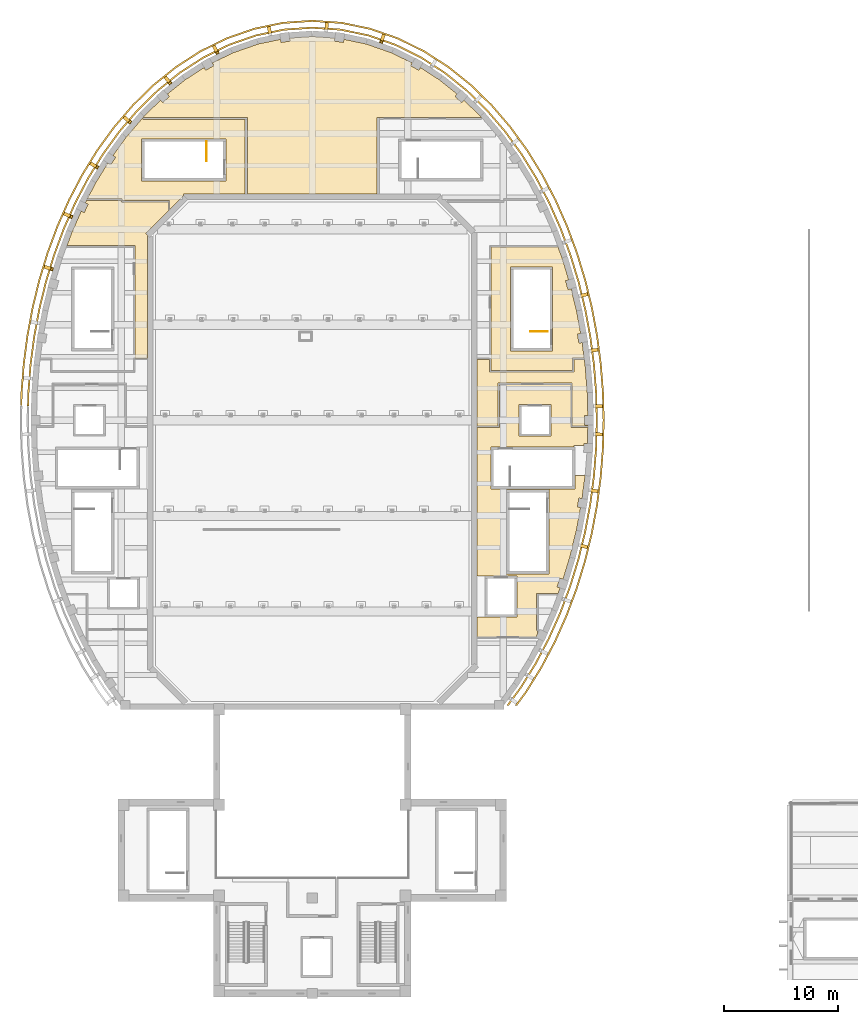
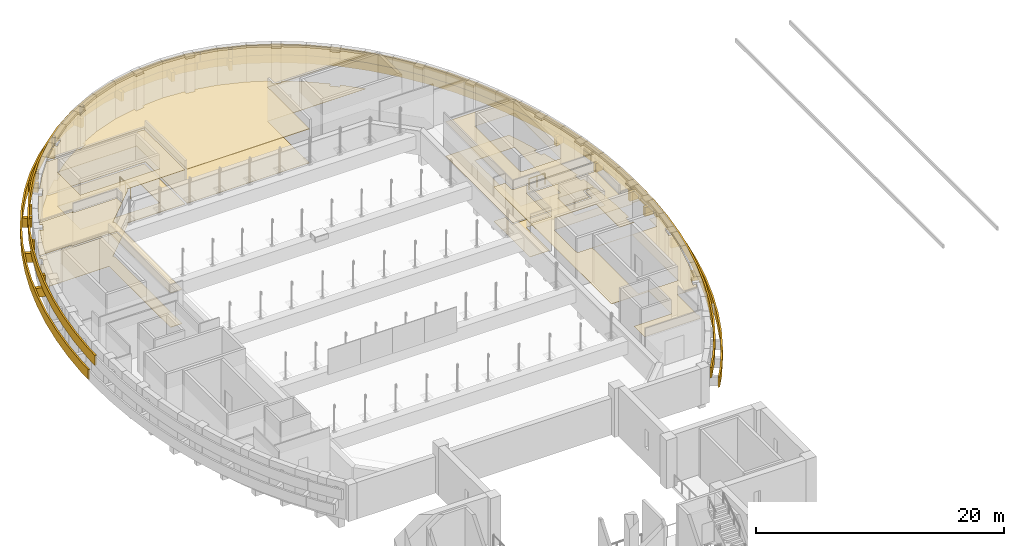
# One storey, part 46 of 47: 37 coverings, 2 railings.
"""IFC4 building model written with IfcOpenShell, lengths in metres."""

from ifc_helpers import new_model, si_unit, direction, frame, origin, origin_2d, place, context, subcontext, project, spatial, polyline, rectangle, circle, outline, extrude, material, layer, layer_set, type_object, element, save


model = new_model("IFC4")

# Units and contexts
model_context = context("Model", 3, precision=1e-05, world=origin(), true_north=direction((0.0, 1.0)))
body_context = subcontext(model_context, "Body", "Model", "MODEL_VIEW")
ifc_project = project(units=[si_unit("LENGTHUNIT", "METRE"), si_unit("AREAUNIT", "SQUARE_METRE"), si_unit("VOLUMEUNIT", "CUBIC_METRE"), si_unit("PLANEANGLEUNIT", "RADIAN"), si_unit("MASSUNIT", "GRAM", prefix="KILO")], contexts=[model_context])

# Site, building, storey
site_placement = place(None, origin())
site = spatial("IfcSite", under=ifc_project, at=site_placement, CompositionType="ELEMENT")
building_placement = place(site_placement, origin())
building = spatial("IfcBuilding", under=site, at=building_placement, Name="Larchfold Concert Hall", CompositionType="ELEMENT")
storey_placement = place(building_placement, frame((0.0, 0.0, 24.0)))
storey = spatial("IfcBuildingStorey", under=building, at=storey_placement, Name="L05", CompositionType="ELEMENT", Elevation=24.0)

# Coverings
ifc_material_1 = material(Name="Acoustic timber lining", Category="wood")
ifc_layer_1 = layer(ifc_material_1, 0.06005859375)
ifc_layer_set_1 = layer_set([ifc_layer_1], Name="Acoustic timber lining")
covering_type_1 = type_object("IfcCoveringType", Name="Ceiling acoustic timber lining 60", PredefinedType="CEILING", material=ifc_layer_set_1)
covering_1_placement = place(storey_placement, frame((0.0, 0.0, 3.340087890625)))
element("IfcCovering", 1, at=covering_1_placement, inside=storey, type_object=covering_type_1, Name="Ceiling Choir Rehearsal Room", PredefinedType="CEILING", context=body_context, shape_type="SweptSolid", body=[
    extrude(outline(polyline([(29.252685546875, 112.751953125), (27.8154296875, 111.3466796875), (27.731689453125, 111.2490234375), (36.89892578125, 111.2490234375), (36.899169921875, 104.5), (48.30078125, 104.5), (48.30078125, 111.2490234375), (57.468505859375, 111.2490234375), (57.384765625, 111.3466796875), (55.947509765625, 112.751953125), (55.760498046875, 112.542236328125), (55.1630859375, 113.07421875), (55.34912109375, 113.283203125), (53.78564453125, 114.541748046875), (52.10009765625, 115.628173828125), (51.963134765625, 115.386962890625), (51.267578125, 115.7822265625), (51.404052734375, 116.022216796875), (49.60888671875, 116.907958984375), (47.34130859375, 117.697509765625), (45.385009765625, 118.103271484375), (45.34765625, 117.833251953125), (44.55517578125, 117.942626953125), (44.59228515625, 118.212158203125), (42.60009765625, 118.349609375), (40.60791015625, 118.212158203125), (40.64501953125, 117.942626953125), (39.8525390625, 117.833251953125), (39.815185546875, 118.103271484375), (37.85888671875, 117.697509765625), (35.59130859375, 116.907958984375), (33.796142578125, 116.022216796875), (33.9326171875, 115.7822265625), (33.237060546875, 115.386962890625), (33.10009765625, 115.628173828125), (31.41455078125, 114.541748046875), (29.850830078125, 113.282958984375), (30.036865234375, 113.07421875), (29.439453125, 112.542236328125), (29.252685546875, 112.751953125)])), origin(), (0.0, 0.0, 1.0), 0.06005859375),
])
ifc_material_2 = material(Name="Mineral fibre ceiling tile")
ifc_layer_2 = layer(ifc_material_2, 0.02001953125)
ifc_layer_set_2 = layer_set([ifc_layer_2], Name="Mineral fibre ceiling tile")
covering_type_2 = type_object("IfcCoveringType", Name="Ceiling mineral fibre tile 20", PredefinedType="CEILING", material=ifc_layer_set_2)
covering_2_placement = place(storey_placement, frame((0.0, 0.0, 3.380126953125)))
element("IfcCovering", 2, at=covering_2_placement, inside=storey, type_object=covering_type_2, Name="Ceiling Corridor 01", PredefinedType="CEILING", context=body_context, shape_type="SweptSolid", body=[
    extrude(outline(polyline([(57.10009765625, 83.986572265625), (57.10009765625, 70.907958984375), (60.60009765625, 70.89990234375), (60.60009765625, 67.300048828125), (57.10009765625, 67.2919921875), (57.10009765625, 65.5625), (62.28857421875, 65.5634765625), (62.399169921875, 65.79150390625), (62.399169921875, 66.107177734375), (62.33251953125, 66.107177734375), (62.337646484375, 69.362548828125), (64.178955078125, 69.362548828125), (64.178955078125, 69.301025390625), (64.1943359375, 69.301025390625), (64.402099609375, 69.859130859375), (64.12939453125, 69.951416015625), (64.3857421875, 70.709228515625), (64.65869140625, 70.616943359375), (65.253662109375, 72.562255859375), (65.83203125, 74.927490234375), (66.205322265625, 76.927978515625), (65.919921875, 76.973388671875), (66.04541015625, 77.763427734375), (66.330810546875, 77.718017578125), (66.59765625, 79.75), (65.699951171875, 79.75), (65.699951171875, 78.550048828125), (58.300048828125, 78.550048828125), (58.300048828125, 82.25), (65.60009765625, 82.25), (65.60009765625, 82.39990234375), (66.498779296875, 82.39990234375), (66.508056640625, 82.579833984375), (66.79736328125, 82.56494140625), (66.833984375, 83.986572265625), (65.33642578125, 83.987548828125), (65.33642578125, 87.736572265625), (59.0634765625, 87.736572265625), (59.0634765625, 83.987548828125), (57.10009765625, 83.986572265625)]), holes=[polyline([(63.60009765625, 83.199951171875), (60.800048828125, 83.199951171875), (60.800048828125, 86.0), (63.60009765625, 86.0), (63.60009765625, 83.199951171875)]), polyline([(59.699951171875, 71.10009765625), (59.699951171875, 78.5), (63.39990234375, 78.5), (63.39990234375, 71.10009765625), (59.699951171875, 71.10009765625)])]), origin(), (0.0, 0.0, 1.0), 0.02001953125),
])
covering_3_placement = place(storey_placement, frame((0.0, 0.0, 3.380126953125)))
element("IfcCovering", 3, at=covering_3_placement, inside=storey, type_object=covering_type_2, Name="Ceiling Corridor 02", PredefinedType="CEILING", context=body_context, shape_type="SweptSolid", body=[
    extrude(outline(polyline([(58.2509765625, 90.02099609375), (58.3134765625, 90.02001953125), (58.3134765625, 88.96337890625), (65.486572265625, 88.96337890625), (65.486572265625, 90.0634765625), (66.517578125, 90.0625), (66.337890625, 91.437255859375), (66.052001953125, 91.39208984375), (65.92724609375, 92.182373046875), (66.212890625, 92.2275390625), (65.844482421875, 94.2138671875), (65.367919921875, 96.176513671875), (65.08935546875, 96.1005859375), (64.87890625, 96.87255859375), (65.1572265625, 96.948486328125), (64.570556640625, 98.88037109375), (64.194091796875, 99.899169921875), (64.178955078125, 99.899169921875), (64.178955078125, 99.83642578125), (58.3134765625, 99.83642578125), (58.3134765625, 90.02099609375), (58.2509765625, 90.02099609375)]), holes=[polyline([(60.050048828125, 90.699951171875), (60.050048828125, 98.10009765625), (63.75, 98.10009765625), (63.75, 90.699951171875), (60.050048828125, 90.699951171875)])]), origin(), (0.0, 0.0, 1.0), 0.02001953125),
])
ifc_material_3 = material(Name="Plasterboard ceiling lining")
ifc_layer_3 = layer(ifc_material_3, 0.030029296875)
ifc_layer_set_3 = layer_set([ifc_layer_3], Name="Plasterboard ceiling lining")
covering_type_3 = type_object("IfcCoveringType", Name="Ceiling suspended plasterboard 30", PredefinedType="CEILING", material=ifc_layer_set_3)
covering_4_placement = place(storey_placement, frame((0.0, 0.0, 3.3701171875)))
element("IfcCovering", 4, at=covering_4_placement, inside=storey, type_object=covering_type_3, Name="Ceiling Production Workshop", PredefinedType="CEILING", context=body_context, shape_type="SweptSolid", body=[
    extrude(outline(polyline([(58.1884765625, 90.0), (58.18505859375, 89.949951171875), (57.10009765625, 89.949951171875), (57.10009765625, 84.111572265625), (59.0, 84.112548828125), (58.9384765625, 84.112548828125), (58.9384765625, 87.861572265625), (65.46142578125, 87.861572265625), (65.46142578125, 84.112548828125), (66.8359375, 84.111572265625), (66.8359375, 84.0595703125), (66.839599609375, 84.2001953125), (66.55029296875, 84.2001953125), (66.55029296875, 85.0), (66.839599609375, 85.0), (66.78759765625, 87.020263671875), (66.599853515625, 89.433837890625), (66.52587890625, 90.0), (66.52099609375, 90.0), (66.52099609375, 89.9375), (65.611572265625, 89.9384765625), (65.611572265625, 88.83837890625), (58.1884765625, 88.83837890625), (58.1884765625, 90.0)])), origin(), (0.0, 0.0, 1.0), 0.030029296875),
])
covering_5_placement = place(storey_placement, frame((0.0, 0.0, 3.3701171875)))
element("IfcCovering", 5, at=covering_5_placement, inside=storey, type_object=covering_type_3, Name="Ceiling Artists' Lounge Terrace Room", PredefinedType="CEILING", context=body_context, shape_type="SweptSolid", body=[
    extrude(outline(polyline([(26.94970703125, 90.051025390625), (28.10009765625, 90.050048828125), (28.10009765625, 100.878662109375), (27.962646484375, 101.01611328125), (30.0, 103.053466796875), (30.0, 103.10498046875), (29.9375, 103.10498046875), (29.9375, 103.78759765625), (25.862548828125, 103.78759765625), (25.862548828125, 103.849853515625), (25.800048828125, 103.849853515625), (25.800048828125, 103.9375), (22.803955078125, 103.9375), (22.803955078125, 104.0), (22.77880859375, 104.0), (22.63037109375, 103.715576171875), (22.888671875, 103.591552734375), (22.5419921875, 102.870361328125), (22.283203125, 102.994873046875), (21.468017578125, 101.149169921875), (21.029296875, 99.96240234375), (27.012451171875, 99.96240234375), (27.012451171875, 90.051025390625), (26.94970703125, 90.051025390625)])), origin(), (0.0, 0.0, 1.0), 0.030029296875),
])
covering_6_placement = place(storey_placement, frame((0.0, 0.0, 3.3701171875)))
element("IfcCovering", 6, at=covering_6_placement, inside=storey, type_object=covering_type_3, Name="Ceiling Hall Foyer North West", PredefinedType="CEILING", context=body_context, shape_type="SweptSolid", body=[
    extrude(outline(polyline([(24.62060546875, 107.218994140625), (23.564208984375, 105.502685546875), (22.8115234375, 104.0625), (25.862548828125, 104.0625), (25.862548828125, 103.9375), (25.801025390625, 103.9375), (25.801025390625, 103.850830078125), (25.862548828125, 103.850830078125), (25.862548828125, 103.91259765625), (30.0625, 103.91259765625), (30.0625, 103.115966796875), (31.300048828125, 104.353515625), (31.300048828125, 104.5), (36.698974609375, 104.5), (36.698974609375, 111.048828125), (27.720947265625, 111.048828125), (27.720947265625, 111.149169921875), (27.646240234375, 111.149169921875), (26.246337890625, 109.514892578125), (25.06494140625, 107.884033203125), (25.301513671875, 107.726318359375), (24.857666015625, 107.060791015625), (24.62060546875, 107.218994140625)]), holes=[polyline([(27.60009765625, 109.35009765625), (35.0, 109.35009765625), (35.0, 105.64990234375), (27.60009765625, 105.64990234375), (27.60009765625, 109.35009765625)])]), origin(), (0.0, 0.0, 1.0), 0.030029296875),
])
ifc_material_4 = material(Name="Polished terrazzo")
ifc_layer_4 = layer(ifc_material_4, 0.0400390625)
ifc_layer_set_4 = layer_set([ifc_layer_4], Name="Polished terrazzo")
covering_type_4 = type_object("IfcCoveringType", Name="Floor finish terrazzo 40", PredefinedType="FLOORING", material=ifc_layer_set_4)
covering_7_placement = place(storey_placement, origin())
element("IfcCovering", 7, at=covering_7_placement, inside=storey, type_object=covering_type_4, Name="Floor finish Hall Foyer North West", PredefinedType="FLOORING", context=body_context, shape_type="SweptSolid", body=[
    extrude(outline(polyline([(24.62060546875, 107.218994140625), (23.564208984375, 105.502685546875), (22.8115234375, 104.0625), (25.862548828125, 104.0625), (25.862548828125, 103.9375), (25.801025390625, 103.9375), (25.801025390625, 103.850830078125), (25.862548828125, 103.850830078125), (25.862548828125, 103.91259765625), (30.0625, 103.91259765625), (30.0625, 103.115966796875), (31.300048828125, 104.353515625), (31.300048828125, 104.5), (36.698974609375, 104.5), (36.698974609375, 111.048828125), (27.720947265625, 111.048828125), (27.720947265625, 111.149169921875), (27.646240234375, 111.149169921875), (26.246337890625, 109.514892578125), (25.06494140625, 107.884033203125), (25.301513671875, 107.726318359375), (24.857666015625, 107.060791015625), (24.62060546875, 107.218994140625)]), holes=[polyline([(27.60009765625, 109.35009765625), (35.0, 109.35009765625), (35.0, 105.64990234375), (27.60009765625, 105.64990234375), (27.60009765625, 109.35009765625)])]), origin(), (0.0, 0.0, 1.0), 0.0400390625),
])
ifc_material_5 = material(Name="Oak boards on battens")
ifc_layer_5 = layer(ifc_material_5, 0.02490234375)
ifc_layer_set_5 = layer_set([ifc_layer_5], Name="Oak boards on battens")
covering_type_5 = type_object("IfcCoveringType", Name="Floor finish timber boards 25", PredefinedType="FLOORING", material=ifc_layer_set_5)
covering_8_placement = place(storey_placement, origin())
element("IfcCovering", 8, at=covering_8_placement, inside=storey, type_object=covering_type_5, Name="Floor finish Choir Rehearsal Room", PredefinedType="FLOORING", context=body_context, shape_type="SweptSolid", body=[
    extrude(outline(polyline([(29.252685546875, 112.751953125), (27.8154296875, 111.3466796875), (27.731689453125, 111.2490234375), (36.89892578125, 111.2490234375), (36.899169921875, 104.5), (48.30078125, 104.5), (48.30078125, 111.2490234375), (57.468505859375, 111.2490234375), (57.384765625, 111.3466796875), (55.947509765625, 112.751953125), (55.760498046875, 112.542236328125), (55.1630859375, 113.07421875), (55.34912109375, 113.283203125), (53.78564453125, 114.541748046875), (52.10009765625, 115.628173828125), (51.963134765625, 115.386962890625), (51.267578125, 115.7822265625), (51.404052734375, 116.022216796875), (49.60888671875, 116.907958984375), (47.34130859375, 117.697509765625), (45.385009765625, 118.103271484375), (45.34765625, 117.833251953125), (44.55517578125, 117.942626953125), (44.59228515625, 118.212158203125), (42.60009765625, 118.349609375), (40.60791015625, 118.212158203125), (40.64501953125, 117.942626953125), (39.8525390625, 117.833251953125), (39.815185546875, 118.103271484375), (37.85888671875, 117.697509765625), (35.59130859375, 116.907958984375), (33.796142578125, 116.022216796875), (33.9326171875, 115.7822265625), (33.237060546875, 115.386962890625), (33.10009765625, 115.628173828125), (31.41455078125, 114.541748046875), (29.850830078125, 113.282958984375), (30.036865234375, 113.07421875), (29.439453125, 112.542236328125), (29.252685546875, 112.751953125)])), origin(), (0.0, 0.0, 1.0), 0.02490234375),
])
ifc_material_6 = material(Name="Linoleum sheet")
ifc_layer_6 = layer(ifc_material_6, 0.02001953125)
ifc_layer_set_6 = layer_set([ifc_layer_6], Name="Linoleum sheet")
covering_type_6 = type_object("IfcCoveringType", Name="Floor finish vinyl 20", PredefinedType="FLOORING", material=ifc_layer_set_6)
covering_9_placement = place(storey_placement, origin())
element("IfcCovering", 9, at=covering_9_placement, inside=storey, type_object=covering_type_6, Name="Floor finish Corridor 02", PredefinedType="FLOORING", context=body_context, shape_type="SweptSolid", body=[
    extrude(outline(polyline([(58.2509765625, 90.02099609375), (58.3134765625, 90.02001953125), (58.3134765625, 88.96337890625), (65.486572265625, 88.96337890625), (65.486572265625, 90.0634765625), (66.517578125, 90.0625), (66.337890625, 91.437255859375), (66.052001953125, 91.39208984375), (65.92724609375, 92.182373046875), (66.212890625, 92.2275390625), (65.844482421875, 94.2138671875), (65.367919921875, 96.176513671875), (65.08935546875, 96.1005859375), (64.87890625, 96.87255859375), (65.1572265625, 96.948486328125), (64.570556640625, 98.88037109375), (64.194091796875, 99.899169921875), (64.178955078125, 99.899169921875), (64.178955078125, 99.83642578125), (58.3134765625, 99.83642578125), (58.3134765625, 90.02099609375), (58.2509765625, 90.02099609375)]), holes=[polyline([(60.050048828125, 90.699951171875), (60.050048828125, 98.10009765625), (63.75, 98.10009765625), (63.75, 90.699951171875), (60.050048828125, 90.699951171875)])]), origin(), (0.0, 0.0, 1.0), 0.02001953125),
])
covering_10_placement = place(storey_placement, origin())
element("IfcCovering", 10, at=covering_10_placement, inside=storey, type_object=covering_type_6, Name="Floor finish Production Workshop", PredefinedType="FLOORING", context=body_context, shape_type="SweptSolid", body=[
    extrude(outline(polyline([(58.1884765625, 90.0), (58.18505859375, 89.949951171875), (57.10009765625, 89.949951171875), (57.10009765625, 84.111572265625), (59.0, 84.112548828125), (58.9384765625, 84.112548828125), (58.9384765625, 87.861572265625), (65.46142578125, 87.861572265625), (65.46142578125, 84.112548828125), (66.8359375, 84.111572265625), (66.8359375, 84.0595703125), (66.839599609375, 84.2001953125), (66.55029296875, 84.2001953125), (66.55029296875, 85.0), (66.839599609375, 85.0), (66.78759765625, 87.020263671875), (66.599853515625, 89.433837890625), (66.52587890625, 90.0), (66.52099609375, 90.0), (66.52099609375, 89.9375), (65.611572265625, 89.9384765625), (65.611572265625, 88.83837890625), (58.1884765625, 88.83837890625), (58.1884765625, 90.0)])), origin(), (0.0, 0.0, 1.0), 0.02001953125),
])
covering_11_placement = place(storey_placement, origin())
element("IfcCovering", 11, at=covering_11_placement, inside=storey, type_object=covering_type_6, Name="Floor finish Artists' Lounge Terrace Room", PredefinedType="FLOORING", context=body_context, shape_type="SweptSolid", body=[
    extrude(outline(polyline([(26.94970703125, 90.051025390625), (28.10009765625, 90.050048828125), (28.10009765625, 100.878662109375), (27.962646484375, 101.01611328125), (30.0, 103.053466796875), (30.0, 103.10498046875), (29.9375, 103.10498046875), (29.9375, 103.78759765625), (25.862548828125, 103.78759765625), (25.862548828125, 103.849853515625), (25.800048828125, 103.849853515625), (25.800048828125, 103.9375), (22.803955078125, 103.9375), (22.803955078125, 104.0), (22.77880859375, 104.0), (22.63037109375, 103.715576171875), (22.888671875, 103.591552734375), (22.5419921875, 102.870361328125), (22.283203125, 102.994873046875), (21.468017578125, 101.149169921875), (21.029296875, 99.96240234375), (27.012451171875, 99.96240234375), (27.012451171875, 90.051025390625), (26.94970703125, 90.051025390625)])), origin(), (0.0, 0.0, 1.0), 0.02001953125),
])
ifc_material_7 = material(Name="Powder-coated orange aluminium", Category="aluminium")
ifc_layer_7 = layer(ifc_material_7, 0.14990234375)
ifc_layer_set_7 = layer_set([ifc_layer_7], Name="Powder-coated orange aluminium")
covering_type_7 = type_object("IfcCoveringType", Name="Orange aluminium ring cladding", PredefinedType="CLADDING", material=ifc_layer_set_7)
covering_12_placement = place(storey_placement, frame((0.0, 0.0, 0.89990234375)))
element("IfcCovering", 12, at=covering_12_placement, inside=storey, type_object=covering_type_7, Name="Ring band R12a", PredefinedType="CLADDING", context=body_context, shape_type="SweptSolid", body=[
    extrude(outline(polyline([(67.249755859375, 74.621826171875), (67.71142578125, 77.093505859375), (68.039306640625, 79.5849609375), (68.2353515625, 82.089599609375), (68.30029296875, 84.60009765625), (68.236083984375, 87.09521484375), (68.042724609375, 89.583984375), (67.71875, 92.060546875), (67.262939453125, 94.51708984375), (66.6728515625, 96.947509765625), (65.945556640625, 99.343017578125), (65.076904296875, 101.694091796875), (64.0625, 103.990234375), (62.897705078125, 106.21923828125), (61.576416015625, 108.3662109375), (60.093505859375, 110.4130859375), (58.4443359375, 112.3388671875), (56.625244140625, 114.11767578125), (54.63525390625, 115.718994140625), (52.479736328125, 117.1083984375), (50.169921875, 118.247802734375), (47.728759765625, 119.097900390625), (46.3955078125, 119.37451171875), (46.379150390625, 119.224853515625), (47.688720703125, 118.953125), (50.11181640625, 118.109130859375), (52.40576171875, 116.977783203125), (54.54736328125, 115.59716796875), (56.525634765625, 114.00537109375), (58.334716796875, 112.236328125), (59.9755859375, 110.320068359375), (61.45166015625, 108.28271484375), (62.76708984375, 106.14501953125), (63.92724609375, 103.925048828125), (64.937744140625, 101.6376953125), (65.80322265625, 99.295166015625), (66.528076171875, 96.907958984375), (67.1162109375, 94.48583984375), (67.570556640625, 92.037109375), (67.893310546875, 89.568603515625), (68.08642578125, 87.08740234375), (68.150390625, 84.60009765625), (68.08544921875, 82.097412109375), (67.89013671875, 79.6005859375), (67.563232421875, 77.1171875), (67.103271484375, 74.653564453125), (66.5078125, 72.21728515625), (65.7734375, 69.81689453125), (64.896728515625, 67.4619140625), (63.873291015625, 65.162841796875), (62.697265625, 62.932861328125), (61.364501953125, 60.78759765625), (60.421630859375, 59.5), (60.607666015625, 59.5), (61.48876953125, 60.70361328125), (62.82763671875, 62.858154296875), (64.00830078125, 65.09716796875), (65.03564453125, 67.4052734375), (65.91552734375, 69.768798828125), (66.652587890625, 72.177490234375), (67.249755859375, 74.621826171875)])), origin(), (0.0, 0.0, 1.0), 1.0),
])
covering_13_placement = place(storey_placement, frame((0.0, 0.0, 0.89990234375)))
element("IfcCovering", 13, at=covering_13_placement, inside=storey, type_object=covering_type_7, Name="Ring band R12b", PredefinedType="CLADDING", context=body_context, shape_type="SweptSolid", body=[
    extrude(outline(polyline([(42.60009765625, 119.652587890625), (45.169921875, 119.4755859375), (46.330078125, 119.23486328125), (46.34619140625, 119.384765625), (45.1904296875, 119.62451171875), (42.60009765625, 119.802734375), (40.009765625, 119.62451171875), (37.471435546875, 119.097900390625), (35.0302734375, 118.247802734375), (32.720458984375, 117.1083984375), (30.56494140625, 115.718994140625), (28.574951171875, 114.11767578125), (26.755859375, 112.3388671875), (25.106689453125, 110.4130859375), (23.623779296875, 108.3662109375), (22.302490234375, 106.21923828125), (21.1376953125, 103.990234375), (20.123291015625, 101.694091796875), (19.254638671875, 99.343017578125), (18.52734375, 96.947509765625), (17.937255859375, 94.51708984375), (17.4814453125, 92.060546875), (17.157470703125, 89.583984375), (16.964111328125, 87.09521484375), (16.93310546875, 85.89501953125), (17.0830078125, 85.8876953125), (17.11376953125, 87.08740234375), (17.306884765625, 89.568603515625), (17.629638671875, 92.037109375), (18.083984375, 94.48583984375), (18.672119140625, 96.907958984375), (19.39697265625, 99.295166015625), (20.262451171875, 101.6376953125), (21.27294921875, 103.925048828125), (22.43310546875, 106.14501953125), (23.74853515625, 108.28271484375), (25.224609375, 110.320068359375), (26.865478515625, 112.236328125), (28.674560546875, 114.00537109375), (30.65283203125, 115.59716796875), (32.79443359375, 116.977783203125), (35.08837890625, 118.109130859375), (37.511474609375, 118.953125), (40.0302734375, 119.4755859375), (42.60009765625, 119.652587890625)])), origin(), (0.0, 0.0, 1.0), 1.0),
])
covering_14_placement = place(storey_placement, frame((0.0, 0.0, 2.10009765625)))
element("IfcCovering", 14, at=covering_14_placement, inside=storey, type_object=covering_type_7, Name="Ring band R13a", PredefinedType="CLADDING", context=body_context, shape_type="SweptSolid", body=[
    extrude(outline(polyline([(66.6630859375, 74.748291015625), (67.11865234375, 77.18798828125), (67.4423828125, 79.6474609375), (67.635986328125, 82.12060546875), (67.7001953125, 84.60009765625), (67.63671875, 87.064208984375), (67.445556640625, 89.52197265625), (67.1259765625, 91.966796875), (66.676025390625, 94.3916015625), (66.093994140625, 96.78955078125), (65.37646484375, 99.151611328125), (64.5205078125, 101.46875), (63.521484375, 103.729736328125), (62.37548828125, 105.9228515625), (61.077392578125, 108.032470703125), (59.6220703125, 110.041259765625), (58.005859375, 111.928466796875), (56.2265625, 113.668212890625), (54.28369140625, 115.231689453125), (52.18359375, 116.58544921875), (49.937744140625, 117.693359375), (47.568603515625, 118.5185546875), (46.330322265625, 118.775390625), (46.314208984375, 118.62548828125), (47.528564453125, 118.37353515625), (49.879638671875, 117.5546875), (52.109375, 116.454833984375), (54.19580078125, 115.10986328125), (56.126708984375, 113.555908203125), (57.896240234375, 111.82568359375), (59.504150390625, 109.948486328125), (60.95263671875, 107.94921875), (62.2451171875, 105.8486328125), (63.38623046875, 103.664794921875), (64.381591796875, 101.412353515625), (65.234375, 99.103759765625), (65.94921875, 96.75), (66.529296875, 94.360107421875), (66.9775390625, 91.943359375), (67.29638671875, 89.50634765625), (67.48681640625, 87.056396484375), (67.550048828125, 84.60009765625), (67.486083984375, 82.12841796875), (67.293212890625, 79.663330078125), (66.970458984375, 77.21142578125), (66.516357421875, 74.77978515625), (65.928955078125, 72.37646484375), (65.204833984375, 70.009521484375), (64.341064453125, 67.688720703125), (63.333251953125, 65.425048828125), (62.176513671875, 63.2314453125), (60.86669921875, 61.12353515625), (59.677978515625, 59.5), (59.864013671875, 59.5), (60.9912109375, 61.03955078125), (62.306640625, 63.15673828125), (63.46826171875, 65.359375), (64.47998046875, 67.632080078125), (65.346923828125, 69.96142578125), (66.07373046875, 72.336669921875), (66.6630859375, 74.748291015625)])), origin(), (0.0, 0.0, 1.0), 1.0),
])
covering_15_placement = place(storey_placement, frame((0.0, 0.0, 2.10009765625)))
element("IfcCovering", 15, at=covering_15_placement, inside=storey, type_object=covering_type_7, Name="Ring band R13b", PredefinedType="CLADDING", context=body_context, shape_type="SweptSolid", body=[
    extrude(outline(polyline([(42.60009765625, 119.051025390625), (45.088134765625, 118.879638671875), (46.264892578125, 118.6357421875), (46.28125, 118.785400390625), (45.108642578125, 119.02880859375), (42.60009765625, 119.201416015625), (40.091552734375, 119.02880859375), (37.631591796875, 118.5185546875), (35.262451171875, 117.693359375), (33.0166015625, 116.58544921875), (30.91650390625, 115.231689453125), (28.9736328125, 113.668212890625), (27.1943359375, 111.928466796875), (25.578125, 110.041259765625), (24.122802734375, 108.032470703125), (22.82470703125, 105.9228515625), (21.6787109375, 103.729736328125), (20.6796875, 101.46875), (19.82373046875, 99.151611328125), (19.106201171875, 96.78955078125), (18.524169921875, 94.3916015625), (18.07421875, 91.966796875), (17.754638671875, 89.52197265625), (17.5634765625, 87.064208984375), (17.532470703125, 85.865478515625), (17.682373046875, 85.85791015625), (17.71337890625, 87.056396484375), (17.90380859375, 89.50634765625), (18.22265625, 91.943359375), (18.6708984375, 94.360107421875), (19.2509765625, 96.75), (19.9658203125, 99.103759765625), (20.818603515625, 101.412353515625), (21.81396484375, 103.664794921875), (22.955078125, 105.8486328125), (24.24755859375, 107.94921875), (25.696044921875, 109.948486328125), (27.303955078125, 111.82568359375), (29.073486328125, 113.555908203125), (31.00439453125, 115.10986328125), (33.0908203125, 116.454833984375), (35.320556640625, 117.5546875), (37.671630859375, 118.37353515625), (40.112060546875, 118.879638671875), (42.60009765625, 119.051025390625)])), origin(), (0.0, 0.0, 1.0), 1.0),
])
ifc_material_8 = material(Name="Galvanised steel bracket", Category="steel")
ifc_layer_8 = layer(ifc_material_8, 0.300048828125)
ifc_layer_set_8 = layer_set([ifc_layer_8], Name="Galvanised steel bracket")
covering_type_8 = type_object("IfcCoveringType", Name="Ring support bracket", PredefinedType="CLADDING", material=ifc_layer_set_8)
for number, where, z_axis, x_axis, name in (
    (16, (67.718505859375, 85.83349609375, 0.949951171875), (0.0, 0.0, 1.0), (0.999668605926, 0.025742539211, 0.0), "Ring bracket BR-R12-01"),
    (17, (67.33544921875, 90.750732421875, 0.949951171875), (0.0, 0.0, 1.0), (0.991554174709, 0.129693171048, 0.0), "Ring bracket BR-R12-02"),
    (18, (66.43359375, 95.602294921875, 0.949951171875), (0.0, 0.0, 1.0), (0.971762851638, 0.235959657944, 0.0), "Ring bracket BR-R12-03"),
    (19, (48.770263671875, 118.15283203125, 0.949951171875), (0.0, 0.0, 1.0), (0.328920226358, 0.944357710136, 0.0), "Ring bracket BR-R12-09"),
    (20, (43.85791015625, 119.1650390625, 0.949951171875), (0.0, 0.0, 1.0), (0.068693386901, 0.997637819349, 0.0), "Ring bracket BR-R12-10"),
    (21, (38.85107421875, 118.822509765625, 0.949951171875), (0.0, 0.0, 1.0), (-0.203080334215, 0.979162079461, 0.0), "Ring bracket BR-R12-11"),
    (22, (34.11669921875, 117.183837890625, 0.949951171875), (0.0, 0.0, 1.0), (-0.44236895234, 0.89683315617, 0.0), "Ring bracket BR-R12-12"),
    (23, (29.9130859375, 114.488525390625, 0.949951171875), (0.0, 0.0, 1.0), (-0.626932967102, 0.77907320244, 0.0), "Ring bracket BR-R12-13"),
    (24, (26.347900390625, 111.016845703125, 0.949951171875), (0.0, 0.0, 1.0), (-0.759502249096, 0.650504676093, 0.0), "Ring bracket BR-R12-14"),
    (25, (23.430908203125, 107.00341796875, 0.949951171875), (0.0, 0.0, 1.0), (-0.851675410882, 0.524069646611, 0.0), "Ring bracket BR-R12-15"),
    (26, (21.13330078125, 102.619140625, 0.949951171875), (0.0, 0.0, 1.0), (-0.91470116954, 0.404130882813, 0.0), "Ring bracket BR-R12-16"),
    (27, (19.4169921875, 97.98486328125, 0.949951171875), (0.0, 0.0, 1.0), (-0.956854836506, 0.29056638115, 0.0), "Ring bracket BR-R12-17"),
    (28, (66.4169921875, 73.53076171875, 0.949951171875), (0.0, 0.0, 1.0), (0.971411707345, -0.237401126438, 0.0), "Ring bracket BR-R12-31"),
    (29, (67.330078125, 78.411376953125, 0.949951171875), (0.0, 0.0, 1.0), (0.991449907596, -0.130487856632, 0.0), "Ring bracket BR-R12-32"),
    (30, (67.718017578125, 83.359130859375, 0.949951171875), (0.0, 0.0, 1.0), (0.999665014874, -0.025881615792, 0.0), "Ring bracket BR-R12-33"),
):
    element("IfcCovering", number, at=place(storey_placement, frame(where, z_axis=z_axis, x_axis=x_axis)), inside=storey, type_object=covering_type_8, Name=name, PredefinedType="CLADDING", context=body_context, shape_type="SweptSolid", body=[
        extrude(rectangle(XDim=0.800048828125, YDim=0.300048828125, at=origin_2d()), origin(), (0.0, 0.0, 1.0), 0.89990234375),
    ])
for number, where, z_axis, x_axis, name in (
    (31, (48.671630859375, 117.86962890625, 2.150146484375), (0.0, 0.0, 1.0), (0.328920226358, 0.944357710136, 0.0), "Ring bracket BR-R13-09"),
    (32, (34.24951171875, 116.914794921875, 2.150146484375), (0.0, 0.0, 1.0), (-0.44236895234, 0.89683315617, 0.0), "Ring bracket BR-R13-12"),
    (33, (30.101318359375, 114.2548828125, 2.150146484375), (0.0, 0.0, 1.0), (-0.626932967102, 0.77907320244, 0.0), "Ring bracket BR-R13-13"),
    (34, (26.57568359375, 110.82177734375, 2.150146484375), (0.0, 0.0, 1.0), (-0.759502249096, 0.650504676093, 0.0), "Ring bracket BR-R13-14"),
    (35, (23.6865234375, 106.84619140625, 2.150146484375), (0.0, 0.0, 1.0), (-0.851675410882, 0.524069646611, 0.0), "Ring bracket BR-R13-15"),
    (36, (21.40771484375, 102.498046875, 2.150146484375), (0.0, 0.0, 1.0), (-0.91470116954, 0.404130882813, 0.0), "Ring bracket BR-R13-16"),
    (37, (19.7041015625, 97.897705078125, 2.150146484375), (0.0, 0.0, 1.0), (-0.956854836506, 0.29056638115, 0.0), "Ring bracket BR-R13-17"),
):
    element("IfcCovering", number, at=place(storey_placement, frame(where, z_axis=z_axis, x_axis=x_axis)), inside=storey, type_object=covering_type_8, Name=name, PredefinedType="CLADDING", context=body_context, shape_type="SweptSolid", body=[
        extrude(rectangle(XDim=0.199951171875, YDim=0.300048828125, at=origin_2d()), origin(), (0.0, 0.0, 1.0), 0.89990234375),
    ])

# Railings
ifc_material_9 = material(Name="Stainless steel balustrade", Category="steel")
railing_type = type_object("IfcRailingType", Name="Stair guard 1100", PredefinedType="GUARDRAIL", material=ifc_material_9)
railing_1_placement = place(storey_placement, frame((63.27490234375, 92.39990234375, 0.0)))
element("IfcRailing", 38, at=railing_1_placement, inside=storey, type_object=railing_type, Name="Guard GR0001", PredefinedType="GUARDRAIL", context=body_context, shape_type="SweptSolid", body=[
    extrude(circle(Radius=0.02392578125, at=origin_2d()), frame((0.0, 0.0, 1.076171875), z_axis=(-1.0, 0.0, 0.0), x_axis=(0.0, -1.0, 0.0)), (0.0, 0.0, 1.0), 1.474853515625),
    extrude(circle(Radius=0.02099609375, at=origin_2d()), origin(), (0.0, 0.0, 1.0), 1.052001953125),
    extrude(circle(Radius=0.02099609375, at=origin_2d()), frame((-0.7373046875, 0.0, 0.0)), (0.0, 0.0, 1.0), 1.052001953125),
    extrude(circle(Radius=0.02099609375, at=origin_2d()), frame((-1.474853515625, 0.0, 0.0)), (0.0, 0.0, 1.0), 1.052001953125),
])
railing_2_placement = place(storey_placement, frame((33.300048828125, 109.10009765625, 0.0)))
element("IfcRailing", 39, at=railing_2_placement, inside=storey, type_object=railing_type, Name="Guard GR0003", PredefinedType="GUARDRAIL", context=body_context, shape_type="SweptSolid", body=[
    extrude(circle(Radius=0.02392578125, at=origin_2d()), frame((0.0, 0.0, 1.076171875), z_axis=(0.0, -1.0, 0.0), x_axis=(1.0, 0.0, 0.0)), (0.0, 0.0, 1.0), 1.699951171875),
    extrude(circle(Radius=0.02099609375, at=origin_2d()), origin(), (0.0, 0.0, 1.0), 1.052001953125),
    extrude(circle(Radius=0.02099609375, at=origin_2d()), frame((0.0, -0.85009765625, 0.0)), (0.0, 0.0, 1.0), 1.052001953125),
    extrude(circle(Radius=0.02099609375, at=origin_2d()), frame((0.0, -1.699951171875, 0.0)), (0.0, 0.0, 1.0), 1.052001953125),
])

save(model, "model.ifc")
